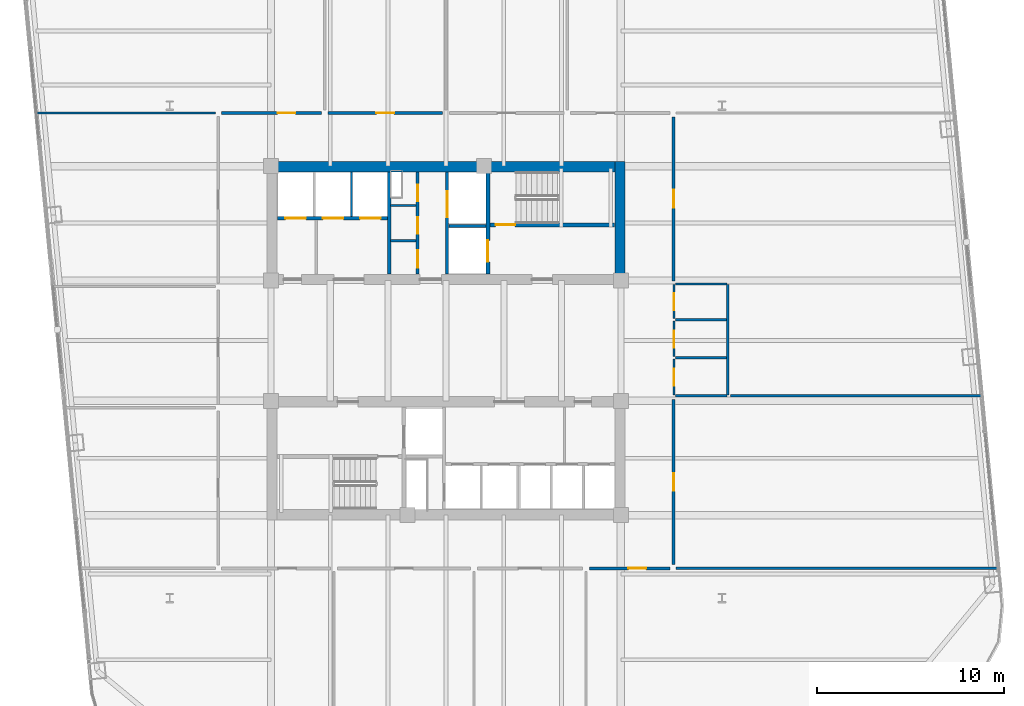
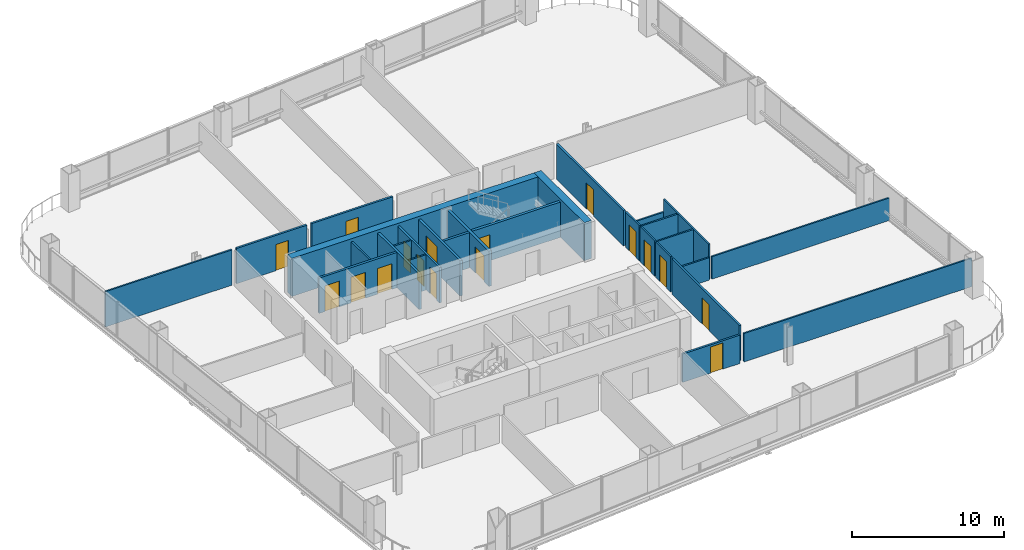
# One storey, part 28 of 32: 28 walls, 17 doors, 17 openings.
"""IFC4 building model written with IfcOpenShell, lengths in metres."""

from ifc_helpers import new_model, si_unit, direction, frame, frame_2d, origin, place, context, subcontext, project, spatial, rectangle, extrude, material, layer, layer_set, type_object, element, fill, save


model = new_model("IFC4")

# Units and contexts
model_context = context("Model", 3, precision=1e-05, world=origin(), true_north=direction((0.0, 1.0)))
body_context = subcontext(model_context, "Body", "Model", "MODEL_VIEW")
ifc_project = project(units=[si_unit("LENGTHUNIT", "METRE"), si_unit("AREAUNIT", "SQUARE_METRE"), si_unit("VOLUMEUNIT", "CUBIC_METRE"), si_unit("PLANEANGLEUNIT", "RADIAN"), si_unit("MASSUNIT", "GRAM", prefix="KILO")], contexts=[model_context])

# Site, building, storey
site_placement = place(None, origin())
site = spatial("IfcSite", under=ifc_project, at=site_placement, CompositionType="ELEMENT")
building_placement = place(site_placement, origin())
building = spatial("IfcBuilding", under=site, at=building_placement, Name="Qhalaya Broadcast Tower", CompositionType="ELEMENT")
storey_placement = place(building_placement, frame((0.0, 0.0, 87.75)))
storey = spatial("IfcBuildingStorey", under=building, at=storey_placement, Name="L25", CompositionType="ELEMENT", Elevation=87.75)

# Wall, openings, doors
ifc_material_1 = material(Name="Gypsum Acoustic Partition")
ifc_layer_1 = layer(ifc_material_1, 0.14990234375, Name="Gypsum Acoustic Partition")
ifc_layer_set_1 = layer_set([ifc_layer_1], Name="Gypsum Acoustic Partition")
wall_type_1 = type_object("IfcWallType", Name="Corridor & Tenancy Acoustic Partition 150", PredefinedType="PARTITIONING", material=ifc_layer_set_1)
wall_1_placement = place(storey_placement, frame((-1.52001953125, 4.169921875, 0.0), z_axis=(0.0, 0.0, 1.0), x_axis=(0.0, 1.0, 0.0)))
wall_1 = element("IfcWall", 1, at=wall_1_placement, inside=storey, type_object=wall_type_1, Name="L25 Partition Wall NCW-SVL", PredefinedType="PARTITIONING", context=body_context, shape_type="SweptSolid", body=[
    extrude(rectangle(XDim=5.4599609375, YDim=0.14990234375, at=frame_2d((2.72998046875, 0.0))), origin(), (0.0, 0.0, 1.0), 2.830078125),
])
opening_1_placement = place(wall_1_placement, frame((3.89990234375, 0.0, 0.0)))
opening_1 = element("IfcOpeningElement", 2, at=opening_1_placement, cuts=wall_1, Name="Opening D06", PredefinedType="OPENING", context=body_context, shape_type="SweptSolid", body=[
    extrude(rectangle(XDim=0.89990234375, YDim=2.050048828125, at=frame_2d((0.449951171875, 1.02490234375))), frame((0.0, 0.0869140625, 0.0), z_axis=(0.0, -1.0, 0.0), x_axis=(1.0, 0.0, 0.0)), (0.0, 0.0, 1.0), 0.173828125),
])
opening_2_placement = place(wall_1_placement, frame((2.14990234375, 0.0, 0.0)))
opening_2 = element("IfcOpeningElement", 3, at=opening_2_placement, cuts=wall_1, Name="Opening D06", PredefinedType="OPENING", context=body_context, shape_type="SweptSolid", body=[
    extrude(rectangle(XDim=0.89990234375, YDim=2.050048828125, at=frame_2d((0.449951171875, 1.02490234375))), frame((0.0, 0.0869140625, 0.0), z_axis=(0.0, -1.0, 0.0), x_axis=(1.0, 0.0, 0.0)), (0.0, 0.0, 1.0), 0.173828125),
])
opening_3_placement = place(wall_1_placement, frame((0.35009765625, 0.0, 0.0)))
opening_3 = element("IfcOpeningElement", 4, at=opening_3_placement, cuts=wall_1, Name="Opening D12", PredefinedType="OPENING", context=body_context, shape_type="SweptSolid", body=[
    extrude(rectangle(XDim=0.919921875, YDim=2.10009765625, at=frame_2d((0.4599609375, 1.050048828125))), frame((0.0, 0.0869140625, 0.0), z_axis=(0.0, -1.0, 0.0), x_axis=(1.0, 0.0, 0.0)), (0.0, 0.0, 1.0), 0.173828125),
])
ifc_material_2 = material(Name="Timber Veneer Acoustic Door", Category="wood")
door_type_1 = type_object("IfcDoorType", Name="Accessible WC & Restroom Door D12", OperationType="NOTDEFINED", PredefinedType="DOOR", material=ifc_material_2)
door_1_placement = place(opening_3_placement, origin())
door_1 = element("IfcDoor", 5, at=door_1_placement, inside=storey, type_object=door_type_1, Name="L25 Door D-NCWC", OperationType="SINGLE_SWING_RIGHT", OverallHeight=2.10009765625, OverallWidth=0.919921875, PredefinedType="DOOR", context=body_context, shape_type="SweptSolid", body=[
    extrude(rectangle(XDim=0.919921875, YDim=2.10009765625, at=frame_2d((0.4599609375, 1.050048828125))), frame((0.0, 0.02490234375, 0.0), z_axis=(0.0, -1.0, 0.0), x_axis=(1.0, 0.0, 0.0)), (0.0, 0.0, 1.0), 0.050048828125),
])
fill(opening_3, door_1)
ifc_material_3 = material(Name="Fire-Rated Steel Door", Category="steel")
door_type_2 = type_object("IfcDoorType", Name="Riser & Electrical Shaft Access Door D06", OperationType="NOTDEFINED", PredefinedType="DOOR", material=ifc_material_3)
door_2_placement = place(opening_1_placement, origin())
door_2 = element("IfcDoor", 6, at=door_2_placement, inside=storey, type_object=door_type_2, Name="L25 Riser Shaft Access Door D-NRSR", OperationType="SINGLE_SWING_RIGHT", OverallHeight=2.050048828125, OverallWidth=0.89990234375, PredefinedType="DOOR", context=body_context, shape_type="SweptSolid", body=[
    extrude(rectangle(XDim=0.89990234375, YDim=2.050048828125, at=frame_2d((0.449951171875, 1.02490234375))), frame((0.0, 0.02490234375, 0.0), z_axis=(0.0, -1.0, 0.0), x_axis=(1.0, 0.0, 0.0)), (0.0, 0.0, 1.0), 0.050048828125),
])
fill(opening_1, door_2)
door_3_placement = place(opening_2_placement, origin())
door_3 = element("IfcDoor", 7, at=door_3_placement, inside=storey, type_object=door_type_2, Name="L25 Door D-NITR", OperationType="SINGLE_SWING_LEFT", OverallHeight=2.050048828125, OverallWidth=0.89990234375, PredefinedType="DOOR", context=body_context, shape_type="SweptSolid", body=[
    extrude(rectangle(XDim=0.89990234375, YDim=2.050048828125, at=frame_2d((0.449951171875, 1.02490234375))), frame((0.0, 0.02490234375, 0.0), z_axis=(0.0, -1.0, 0.0), x_axis=(1.0, 0.0, 0.0)), (0.0, 0.0, 1.0), 0.050048828125),
])
fill(opening_2, door_3)

# Wall, opening, door
wall_2_placement = place(storey_placement, frame((-12.02001953125, 12.800048828125, 0.0), z_axis=(0.0, 0.0, 1.0), x_axis=(1.0, 0.0, 0.0)))
wall_2 = element("IfcWall", 8, at=wall_2_placement, inside=storey, type_object=wall_type_1, Name="L25 Partition Wall W-COR-01", PredefinedType="PARTITIONING", context=body_context, shape_type="SweptSolid", body=[
    extrude(rectangle(XDim=5.340087890625, YDim=0.14990234375, at=frame_2d((2.669921875, 0.0))), origin(), (0.0, 0.0, 1.0), 2.830078125),
])
opening_4_placement = place(wall_2_placement, frame((2.9951171875, 0.0, 0.0)))
opening_4 = element("IfcOpeningElement", 9, at=opening_4_placement, cuts=wall_2, Name="Opening D10", PredefinedType="OPENING", context=body_context, shape_type="SweptSolid", body=[
    extrude(rectangle(XDim=0.949951171875, YDim=2.10009765625, at=frame_2d((0.47509765625, 1.050048828125))), frame((0.0, 0.0869140625, 0.0), z_axis=(0.0, -1.0, 0.0), x_axis=(1.0, 0.0, 0.0)), (0.0, 0.0, 1.0), 0.173828125),
])
door_type_3 = type_object("IfcDoorType", Name="Cellular Office & Edit Booth Door D10", OperationType="NOTDEFINED", PredefinedType="DOOR", material=ifc_material_2)
door_4_placement = place(opening_4_placement, origin())
door_4 = element("IfcDoor", 10, at=door_4_placement, inside=storey, type_object=door_type_3, Name="L25 Door D-RM01", OperationType="SINGLE_SWING_LEFT", OverallHeight=2.10009765625, OverallWidth=0.949951171875, PredefinedType="DOOR", context=body_context, shape_type="SweptSolid", body=[
    extrude(rectangle(XDim=0.949951171875, YDim=2.10009765625, at=frame_2d((0.47509765625, 1.050048828125))), frame((0.0, 0.02490234375, 0.0), z_axis=(0.0, -1.0, 0.0), x_axis=(1.0, 0.0, 0.0)), (0.0, 0.0, 1.0), 0.050048828125),
])
fill(opening_4, door_4)

wall_3_placement = place(storey_placement, frame((-6.320068359375, 12.800048828125, 0.0), z_axis=(0.0, 0.0, 1.0), x_axis=(1.0, 0.0, 0.0)))
wall_3 = element("IfcWall", 11, at=wall_3_placement, inside=storey, type_object=wall_type_1, Name="L25 Partition Wall W-COR-02", PredefinedType="PARTITIONING", context=body_context, shape_type="SweptSolid", body=[
    extrude(rectangle(XDim=6.14013671875, YDim=0.14990234375, at=frame_2d((3.070068359375, 0.0))), origin(), (0.0, 0.0, 1.0), 2.830078125),
])
opening_5_placement = place(wall_3_placement, frame((2.594970703125, 0.0, 0.0)))
opening_5 = element("IfcOpeningElement", 12, at=opening_5_placement, cuts=wall_3, Name="Opening D10", PredefinedType="OPENING", context=body_context, shape_type="SweptSolid", body=[
    extrude(rectangle(XDim=0.949951171875, YDim=2.10009765625, at=frame_2d((0.47509765625, 1.050048828125))), frame((0.0, 0.0869140625, 0.0), z_axis=(0.0, -1.0, 0.0), x_axis=(1.0, 0.0, 0.0)), (0.0, 0.0, 1.0), 0.173828125),
])
door_5_placement = place(opening_5_placement, origin())
door_5 = element("IfcDoor", 13, at=door_5_placement, inside=storey, type_object=door_type_3, Name="L25 Door D-RM02", OperationType="SINGLE_SWING_RIGHT", OverallHeight=2.10009765625, OverallWidth=0.949951171875, PredefinedType="DOOR", context=body_context, shape_type="SweptSolid", body=[
    extrude(rectangle(XDim=0.949951171875, YDim=2.10009765625, at=frame_2d((0.47509765625, 1.050048828125))), frame((0.0, 0.02490234375, 0.0), z_axis=(0.0, -1.0, 0.0), x_axis=(1.0, 0.0, 0.0)), (0.0, 0.0, 1.0), 0.050048828125),
])
fill(opening_5, door_5)

wall_4_placement = place(storey_placement, frame((7.679931640625, -11.60009765625, 0.0), z_axis=(0.0, 0.0, 1.0), x_axis=(1.0, 0.0, 0.0)))
wall_4 = element("IfcWall", 14, at=wall_4_placement, inside=storey, type_object=wall_type_1, Name="L25 Partition Wall W-COR-08", PredefinedType="PARTITIONING", context=body_context, shape_type="SweptSolid", body=[
    extrude(rectangle(XDim=4.340087890625, YDim=0.14990234375, at=frame_2d((2.169921875, 0.0))), origin(), (0.0, 0.0, 1.0), 2.27392578125),
])
opening_6_placement = place(wall_4_placement, frame((2.094970703125, 0.0, 0.0)))
opening_6 = element("IfcOpeningElement", 15, at=opening_6_placement, cuts=wall_4, Name="Opening D10", PredefinedType="OPENING", context=body_context, shape_type="SweptSolid", body=[
    extrude(rectangle(XDim=0.949951171875, YDim=2.10009765625, at=frame_2d((0.47509765625, 1.050048828125))), frame((0.0, 0.0869140625, 0.0), z_axis=(0.0, -1.0, 0.0), x_axis=(1.0, 0.0, 0.0)), (0.0, 0.0, 1.0), 0.173828125),
])
door_6_placement = place(opening_6_placement, origin())
door_6 = element("IfcDoor", 16, at=door_6_placement, inside=storey, type_object=door_type_3, Name="L25 Door D-RM08", OperationType="SINGLE_SWING_RIGHT", OverallHeight=2.10009765625, OverallWidth=0.949951171875, PredefinedType="DOOR", context=body_context, shape_type="SweptSolid", body=[
    extrude(rectangle(XDim=0.949951171875, YDim=2.10009765625, at=frame_2d((0.47509765625, 1.050048828125))), frame((0.0, 0.02490234375, 0.0), z_axis=(0.0, -1.0, 0.0), x_axis=(1.0, 0.0, 0.0)), (0.0, 0.0, 1.0), 0.050048828125),
])
fill(opening_6, door_6)

wall_5_placement = place(storey_placement, frame((12.199951171875, -11.39990234375, 0.0), z_axis=(0.0, 0.0, 1.0), x_axis=(0.0, 1.0, 0.0)))
wall_5 = element("IfcWall", 17, at=wall_5_placement, inside=storey, type_object=wall_type_1, Name="L25 Partition Wall W-COR-12", PredefinedType="PARTITIONING", context=body_context, shape_type="SweptSolid", body=[
    extrude(rectangle(XDim=8.83984375, YDim=0.14990234375, at=frame_2d((4.419921875, 0.0))), origin(), (0.0, 0.0, 1.0), 2.830078125),
])
opening_7_placement = place(wall_5_placement, frame((3.945068359375, 0.0, 0.0)))
opening_7 = element("IfcOpeningElement", 18, at=opening_7_placement, cuts=wall_5, Name="Opening D10", PredefinedType="OPENING", context=body_context, shape_type="SweptSolid", body=[
    extrude(rectangle(XDim=0.949951171875, YDim=2.10009765625, at=frame_2d((0.47509765625, 1.050048828125))), frame((0.0, 0.0869140625, 0.0), z_axis=(0.0, -1.0, 0.0), x_axis=(1.0, 0.0, 0.0)), (0.0, 0.0, 1.0), 0.173828125),
])
door_7_placement = place(opening_7_placement, origin())
door_7 = element("IfcDoor", 19, at=door_7_placement, inside=storey, type_object=door_type_3, Name="L25 Door D-RM12", OperationType="SINGLE_SWING_RIGHT", OverallHeight=2.10009765625, OverallWidth=0.949951171875, PredefinedType="DOOR", context=body_context, shape_type="SweptSolid", body=[
    extrude(rectangle(XDim=0.949951171875, YDim=2.10009765625, at=frame_2d((0.47509765625, 1.050048828125))), frame((0.0, 0.02490234375, 0.0), z_axis=(0.0, -1.0, 0.0), x_axis=(1.0, 0.0, 0.0)), (0.0, 0.0, 1.0), 0.050048828125),
])
fill(opening_7, door_7)

wall_6_placement = place(storey_placement, frame((12.199951171875, 3.800048828125, 0.0), z_axis=(0.0, 0.0, 1.0), x_axis=(0.0, 1.0, 0.0)))
wall_6 = element("IfcWall", 20, at=wall_6_placement, inside=storey, type_object=wall_type_1, Name="L25 Partition Wall W-COR-13", PredefinedType="PARTITIONING", context=body_context, shape_type="SweptSolid", body=[
    extrude(rectangle(XDim=8.800048828125, YDim=0.14990234375, at=frame_2d((4.39990234375, 0.0))), origin(), (0.0, 0.0, 1.0), 2.830078125),
])
opening_8_placement = place(wall_6_placement, frame((3.925048828125, 0.0, 0.0)))
opening_8 = element("IfcOpeningElement", 21, at=opening_8_placement, cuts=wall_6, Name="Opening D10", PredefinedType="OPENING", context=body_context, shape_type="SweptSolid", body=[
    extrude(rectangle(XDim=0.949951171875, YDim=2.10009765625, at=frame_2d((0.47509765625, 1.050048828125))), frame((0.0, 0.0869140625, 0.0), z_axis=(0.0, -1.0, 0.0), x_axis=(1.0, 0.0, 0.0)), (0.0, 0.0, 1.0), 0.173828125),
])
door_8_placement = place(opening_8_placement, origin())
door_8 = element("IfcDoor", 22, at=door_8_placement, inside=storey, type_object=door_type_3, Name="L25 Door D-RM13", OperationType="SINGLE_SWING_LEFT", OverallHeight=2.10009765625, OverallWidth=0.949951171875, PredefinedType="DOOR", context=body_context, shape_type="SweptSolid", body=[
    extrude(rectangle(XDim=0.949951171875, YDim=2.10009765625, at=frame_2d((0.47509765625, 1.050048828125))), frame((0.0, 0.02490234375, 0.0), z_axis=(0.0, -1.0, 0.0), x_axis=(1.0, 0.0, 0.0)), (0.0, 0.0, 1.0), 0.050048828125),
])
fill(opening_8, door_8)

ifc_material_4 = material(Name="Concrete C50/60", Category="concrete")
ifc_layer_2 = layer(ifc_material_4, 0.199951171875, Name="Concrete C50/60")
ifc_layer_set_2 = layer_set([ifc_layer_2], Name="Concrete C50/60")
wall_type_2 = type_object("IfcWallType", Name="Load-Bearing Stair Shaft Wall 200", PredefinedType="SHEAR", material=ifc_layer_set_2)
wall_7_placement = place(storey_placement, frame((2.360107421875, 6.804931640625, 0.0), z_axis=(0.0, 0.0, 1.0), x_axis=(1.0, 0.0, 0.0)))
wall_7 = element("IfcWall", 23, at=wall_7_placement, inside=storey, type_object=wall_type_2, Name="L25 Stair Core Shear Wall NCW-ST1", PredefinedType="SHEAR", context=body_context, shape_type="SweptSolid", body=[
    extrude(rectangle(XDim=6.669921875, YDim=0.199951171875, at=frame_2d((3.3349609375, 0.0))), origin(), (0.0, 0.0, 1.0), 2.830078125),
])
opening_9_placement = place(wall_7_placement, frame((0.300048828125, 0.0, 0.0)))
opening_9 = element("IfcOpeningElement", 24, at=opening_9_placement, cuts=wall_7, Name="Opening D03", PredefinedType="OPENING", context=body_context, shape_type="SweptSolid", body=[
    extrude(rectangle(XDim=1.050048828125, YDim=2.080078125, at=frame_2d((0.52490234375, 1.0400390625))), frame((0.0, 0.112060546875, 0.0), z_axis=(0.0, -1.0, 0.0), x_axis=(1.0, 0.0, 0.0)), (0.0, 0.0, 1.0), 0.223876953125),
])
door_type_4 = type_object("IfcDoorType", Name="Core Stair Protected Fire Door D03", OperationType="NOTDEFINED", PredefinedType="DOOR", material=ifc_material_3)
door_9_placement = place(opening_9_placement, origin())
door_9 = element("IfcDoor", 25, at=door_9_placement, inside=storey, type_object=door_type_4, Name="L25 Door D-NST1", OperationType="SINGLE_SWING_LEFT", OverallHeight=2.080078125, OverallWidth=1.050048828125, PredefinedType="DOOR", context=body_context, shape_type="SweptSolid", body=[
    extrude(rectangle(XDim=1.050048828125, YDim=2.080078125, at=frame_2d((0.52490234375, 1.0400390625))), frame((0.0, 0.02490234375, 0.0), z_axis=(0.0, -1.0, 0.0), x_axis=(1.0, 0.0, 0.0)), (0.0, 0.0, 1.0), 0.050048828125),
])
fill(opening_9, door_9)

wall_8_placement = place(storey_placement, frame((2.25, 4.169921875, 0.0), z_axis=(0.0, 0.0, 1.0), x_axis=(0.0, 1.0, 0.0)))
wall_8 = element("IfcWall", 26, at=wall_8_placement, inside=storey, type_object=wall_type_2, Name="L25 Stair Core Shear Wall NCW-FF", PredefinedType="SHEAR", context=body_context, shape_type="SweptSolid", body=[
    extrude(rectangle(XDim=5.4599609375, YDim=0.199951171875, at=frame_2d((2.72998046875, 0.0))), origin(), (0.0, 0.0, 1.0), 2.830078125),
])
opening_10_placement = place(wall_8_placement, frame((0.64990234375, 0.0, 0.0)))
opening_10 = element("IfcOpeningElement", 27, at=opening_10_placement, cuts=wall_8, Name="Opening LD2", PredefinedType="OPENING", context=body_context, shape_type="SweptSolid", body=[
    extrude(rectangle(XDim=1.14990234375, YDim=2.080078125, at=frame_2d((0.574951171875, 1.0400390625))), frame((0.0, 0.112060546875, 0.0), z_axis=(0.0, -1.0, 0.0), x_axis=(1.0, 0.0, 0.0)), (0.0, 0.0, 1.0), 0.223876953125),
])
ifc_material_5 = material(Name="Brushed Stainless Steel Lift Door", Category="steel")
door_type_5 = type_object("IfcDoorType", Name="Firefighting Lift Sliding Landing Door LD2", OperationType="DOUBLE_DOOR_SLIDING", PredefinedType="DOOR", material=ifc_material_5)
door_10_placement = place(opening_10_placement, origin())
door_10 = element("IfcDoor", 28, at=door_10_placement, inside=storey, type_object=door_type_5, Name="L25 Door LD-FF1", OperationType="DOUBLE_DOOR_SLIDING", OverallHeight=2.080078125, OverallWidth=1.14990234375, PredefinedType="DOOR", context=body_context, shape_type="SweptSolid", body=[
    extrude(rectangle(XDim=1.14990234375, YDim=2.080078125, at=frame_2d((0.574951171875, 1.0400390625))), frame((0.0, 0.02490234375, 0.0), z_axis=(0.0, -1.0, 0.0), x_axis=(1.0, 0.0, 0.0)), (0.0, 0.0, 1.0), 0.050048828125),
])
fill(opening_10, door_10)

# Walls
ifc_material_6 = material(Name="Concrete C60/75", Category="concrete")
ifc_layer_3 = layer(ifc_material_6, 0.550048828125, Name="Concrete C60/75")
ifc_layer_set_3 = layer_set([ifc_layer_3], Name="Concrete C60/75")
wall_type_3 = type_object("IfcWallType", Name="Lower Split-Core Shear Wall 550", PredefinedType="SHEAR", material=ifc_layer_set_3)
wall_9_placement = place(storey_placement, frame((-9.60009765625, 9.925048828125, 0.0), z_axis=(0.0, 0.0, 1.0), x_axis=(1.0, 0.0, 0.0)))
element("IfcWall", 29, at=wall_9_placement, inside=storey, type_object=wall_type_3, Name="L25 Split-Core Shear Wall CW-NN", PredefinedType="SHEAR", context=body_context, shape_type="SweptSolid", body=[
    extrude(rectangle(XDim=19.2001953125, YDim=0.550048828125, at=frame_2d((9.60009765625, 0.0))), origin(), (0.0, 0.0, 1.0), 3.050048828125),
])
wall_10_placement = place(storey_placement, frame((9.324951171875, 3.60009765625, 0.0), z_axis=(0.0, 0.0, 1.0), x_axis=(0.0, 1.0, 0.0)))
element("IfcWall", 30, at=wall_10_placement, inside=storey, type_object=wall_type_3, Name="L25 Split-Core Shear Wall CW-NE", PredefinedType="SHEAR", context=body_context, shape_type="SweptSolid", body=[
    extrude(rectangle(XDim=6.599853515625, YDim=0.550048828125, at=frame_2d((3.2998046875, 0.0))), origin(), (0.0, 0.0, 1.0), 3.050048828125),
])
ifc_layer_4 = layer(ifc_material_1, 0.1201171875, Name="Gypsum Acoustic Partition")
ifc_layer_set_4 = layer_set([ifc_layer_4], Name="Gypsum Acoustic Partition")
wall_type_4 = type_object("IfcWallType", Name="Office, Booth & Sanitary Partition 120", PredefinedType="PARTITIONING", material=ifc_layer_set_4)
for number, where, z_axis, x_axis, name in (
    (31, (-2.9599609375, 5.949951171875, 0.0), (0.0, 0.0, 1.0), (1.0, 0.0, 0.0), "L25 Partition Wall NCW-VB1"),
    (32, (-2.9599609375, 7.85009765625, 0.0), (0.0, 0.0, 1.0), (1.0, 0.0, 0.0), "L25 Partition Wall NCW-VB2"),
):
    element("IfcWall", number, at=place(storey_placement, frame(where, z_axis=z_axis, x_axis=x_axis)), inside=storey, type_object=wall_type_4, Name=name, PredefinedType="PARTITIONING", context=body_context, shape_type="SweptSolid", body=[
        extrude(rectangle(XDim=1.35986328125, YDim=0.1201171875, at=frame_2d((0.679931640625, 0.0))), origin(), (0.0, 0.0, 1.0), 2.830078125),
    ])
wall_11_placement = place(storey_placement, frame((-5.06005859375, 7.25, 0.0), z_axis=(0.0, 0.0, 1.0), x_axis=(0.0, 1.0, 0.0)))
element("IfcWall", 33, at=wall_11_placement, inside=storey, type_object=wall_type_4, Name="L25 Partition Wall NCW-PD2", PredefinedType="PARTITIONING", context=body_context, shape_type="SweptSolid", body=[
    extrude(rectangle(XDim=2.3798828125, YDim=0.1201171875, at=frame_2d((1.18994140625, 0.0))), origin(), (0.0, 0.0, 1.0), 2.830078125),
])

# Wall, opening, door
wall_12_placement = place(storey_placement, frame((12.219970703125, -2.320068359375, 0.0), z_axis=(0.0, 0.0, 1.0), x_axis=(0.0, 1.0, 0.0)))
wall_12 = element("IfcWall", 34, at=wall_12_placement, inside=storey, type_object=wall_type_4, Name="L25 Partition Wall W-WCWA", PredefinedType="PARTITIONING", context=body_context, shape_type="SweptSolid", body=[
    extrude(rectangle(XDim=1.940185546875, YDim=0.1201171875, at=frame_2d((0.97021484375, 0.0))), origin(), (0.0, 0.0, 1.0), 2.830078125),
])
opening_11_placement = place(wall_12_placement, frame((0.4951171875, 0.0, 0.0)))
opening_11 = element("IfcOpeningElement", 35, at=opening_11_placement, cuts=wall_12, Name="Opening D12", PredefinedType="OPENING", context=body_context, shape_type="SweptSolid", body=[
    extrude(rectangle(XDim=0.919921875, YDim=2.10009765625, at=frame_2d((0.4599609375, 1.050048828125))), frame((0.0, 0.072021484375, 0.0), z_axis=(0.0, -1.0, 0.0), x_axis=(1.0, 0.0, 0.0)), (0.0, 0.0, 1.0), 0.14404296875),
])
door_11_placement = place(opening_11_placement, origin())
door_11 = element("IfcDoor", 36, at=door_11_placement, inside=storey, type_object=door_type_1, Name="L25 Door D-WCA", OperationType="SINGLE_SWING_LEFT", OverallHeight=2.10009765625, OverallWidth=0.919921875, PredefinedType="DOOR", context=body_context, shape_type="SweptSolid", body=[
    extrude(rectangle(XDim=0.919921875, YDim=2.10009765625, at=frame_2d((0.4599609375, 1.050048828125))), frame((0.0, 0.02490234375, 0.0), z_axis=(0.0, -1.0, 0.0), x_axis=(1.0, 0.0, 0.0)), (0.0, 0.0, 1.0), 0.050048828125),
])
fill(opening_11, door_11)

wall_13_placement = place(storey_placement, frame((12.219970703125, -0.25, 0.0), z_axis=(0.0, 0.0, 1.0), x_axis=(0.0, 1.0, 0.0)))
wall_13 = element("IfcWall", 37, at=wall_13_placement, inside=storey, type_object=wall_type_4, Name="L25 Partition Wall W-WCWM", PredefinedType="PARTITIONING", context=body_context, shape_type="SweptSolid", body=[
    extrude(rectangle(XDim=1.89990234375, YDim=0.1201171875, at=frame_2d((0.949951171875, 0.0))), origin(), (0.0, 0.0, 1.0), 2.830078125),
])
opening_12_placement = place(wall_13_placement, frame((0.47509765625, 0.0, 0.0)))
opening_12 = element("IfcOpeningElement", 38, at=opening_12_placement, cuts=wall_13, Name="Opening D12", PredefinedType="OPENING", context=body_context, shape_type="SweptSolid", body=[
    extrude(rectangle(XDim=0.919921875, YDim=2.10009765625, at=frame_2d((0.4599609375, 1.050048828125))), frame((0.0, 0.072021484375, 0.0), z_axis=(0.0, -1.0, 0.0), x_axis=(1.0, 0.0, 0.0)), (0.0, 0.0, 1.0), 0.14404296875),
])
door_12_placement = place(opening_12_placement, origin())
door_12 = element("IfcDoor", 39, at=door_12_placement, inside=storey, type_object=door_type_1, Name="L25 Door D-WCM", OperationType="SINGLE_SWING_RIGHT", OverallHeight=2.10009765625, OverallWidth=0.919921875, PredefinedType="DOOR", context=body_context, shape_type="SweptSolid", body=[
    extrude(rectangle(XDim=0.919921875, YDim=2.10009765625, at=frame_2d((0.4599609375, 1.050048828125))), frame((0.0, 0.02490234375, 0.0), z_axis=(0.0, -1.0, 0.0), x_axis=(1.0, 0.0, 0.0)), (0.0, 0.0, 1.0), 0.050048828125),
])
fill(opening_12, door_12)

wall_14_placement = place(storey_placement, frame((12.219970703125, 1.780029296875, 0.0), z_axis=(0.0, 0.0, 1.0), x_axis=(0.0, 1.0, 0.0)))
wall_14 = element("IfcWall", 40, at=wall_14_placement, inside=storey, type_object=wall_type_4, Name="L25 Partition Wall W-WCWF", PredefinedType="PARTITIONING", context=body_context, shape_type="SweptSolid", body=[
    extrude(rectangle(XDim=1.830078125, YDim=0.1201171875, at=frame_2d((0.9150390625, 0.0))), origin(), (0.0, 0.0, 1.0), 2.830078125),
])
opening_13_placement = place(wall_14_placement, frame((0.43994140625, 0.0, 0.0)))
opening_13 = element("IfcOpeningElement", 41, at=opening_13_placement, cuts=wall_14, Name="Opening D12", PredefinedType="OPENING", context=body_context, shape_type="SweptSolid", body=[
    extrude(rectangle(XDim=0.919921875, YDim=2.10009765625, at=frame_2d((0.4599609375, 1.050048828125))), frame((0.0, 0.072021484375, 0.0), z_axis=(0.0, -1.0, 0.0), x_axis=(1.0, 0.0, 0.0)), (0.0, 0.0, 1.0), 0.14404296875),
])
door_13_placement = place(opening_13_placement, origin())
door_13 = element("IfcDoor", 42, at=door_13_placement, inside=storey, type_object=door_type_1, Name="L25 Door D-WCF", OperationType="SINGLE_SWING_LEFT", OverallHeight=2.10009765625, OverallWidth=0.919921875, PredefinedType="DOOR", context=body_context, shape_type="SweptSolid", body=[
    extrude(rectangle(XDim=0.919921875, YDim=2.10009765625, at=frame_2d((0.4599609375, 1.050048828125))), frame((0.0, 0.02490234375, 0.0), z_axis=(0.0, -1.0, 0.0), x_axis=(1.0, 0.0, 0.0)), (0.0, 0.0, 1.0), 0.050048828125),
])
fill(opening_13, door_13)

# Walls
wall_15_placement = place(storey_placement, frame((15.10009765625, -2.320068359375, 0.0), z_axis=(0.0, 0.0, 1.0), x_axis=(0.0, 1.0, 0.0)))
element("IfcWall", 43, at=wall_15_placement, inside=storey, type_object=wall_type_4, Name="L25 Partition Wall W-WCE", PredefinedType="PARTITIONING", context=body_context, shape_type="SweptSolid", body=[
    extrude(rectangle(XDim=5.93017578125, YDim=0.1201171875, at=frame_2d((2.965087890625, 0.0))), origin(), (0.0, 0.0, 1.0), 2.830078125),
])
for number, where, z_axis, x_axis, name in (
    (44, (12.31005859375, -2.35009765625, 0.0), (0.0, 0.0, 1.0), (1.0, 0.0, 0.0), "L25 Partition Wall W-WCS"),
    (45, (12.31005859375, 3.639892578125, 0.0), (0.0, 0.0, 1.0), (1.0, 0.0, 0.0), "L25 Partition Wall W-WCN"),
):
    element("IfcWall", number, at=place(storey_placement, frame(where, z_axis=z_axis, x_axis=x_axis)), inside=storey, type_object=wall_type_4, Name=name, PredefinedType="PARTITIONING", context=body_context, shape_type="SweptSolid", body=[
        extrude(rectangle(XDim=2.760009765625, YDim=0.1201171875, at=frame_2d((1.3798828125, 0.0))), origin(), (0.0, 0.0, 1.0), 1.799072265625),
    ])
for number, where, z_axis, x_axis, name in (
    (46, (12.31005859375, -0.320068359375, 0.0), (0.0, 0.0, 1.0), (1.0, 0.0, 0.0), "L25 Partition Wall W-WCD1"),
    (47, (12.31005859375, 1.719970703125, 0.0), (0.0, 0.0, 1.0), (1.0, 0.0, 0.0), "L25 Partition Wall W-WCD2"),
):
    element("IfcWall", number, at=place(storey_placement, frame(where, z_axis=z_axis, x_axis=x_axis)), inside=storey, type_object=wall_type_4, Name=name, PredefinedType="PARTITIONING", context=body_context, shape_type="SweptSolid", body=[
        extrude(rectangle(XDim=2.719970703125, YDim=0.1201171875, at=frame_2d((1.35986328125, 0.0))), origin(), (0.0, 0.0, 1.0), 2.830078125),
    ])
wall_16_placement = place(storey_placement, frame((-21.94482421875, 12.800048828125, 0.0), z_axis=(0.0, 0.0, 1.0), x_axis=(1.0, 0.0, 0.0)))
element("IfcWall", 48, at=wall_16_placement, inside=storey, type_object=wall_type_4, Name="L25 Partition Wall W-BNDW1", PredefinedType="PARTITIONING", context=body_context, shape_type="SweptSolid", body=[
    extrude(rectangle(XDim=9.604736328125, YDim=0.1201171875, at=frame_2d((4.80224609375, 0.0))), origin(), (0.0, 0.0, 1.0), 2.830078125),
])
wall_17_placement = place(storey_placement, frame((12.340087890625, -11.60009765625, 0.0), z_axis=(0.0, 0.0, 1.0), x_axis=(1.0, 0.0, 0.0)))
element("IfcWall", 49, at=wall_17_placement, inside=storey, type_object=wall_type_4, Name="L25 Partition Wall W-BNDE2", PredefinedType="PARTITIONING", context=body_context, shape_type="SweptSolid", body=[
    extrude(rectangle(XDim=17.2509765625, YDim=0.1201171875, at=frame_2d((8.62548828125, 0.0))), origin(), (0.0, 0.0, 1.0), 2.27392578125),
])
wall_18_placement = place(storey_placement, frame((15.239990234375, -2.35009765625, 0.0), z_axis=(0.0, 0.0, 1.0), x_axis=(1.0, 0.0, 0.0)))
element("IfcWall", 50, at=wall_18_placement, inside=storey, type_object=wall_type_4, Name="L25 Partition Wall W-DIVE-WC", PredefinedType="PARTITIONING", context=body_context, shape_type="SweptSolid", body=[
    extrude(rectangle(XDim=13.46044921875, YDim=0.1201171875, at=frame_2d((6.730224609375, 0.0))), origin(), (0.0, 0.0, 1.0), 1.799072265625),
])

# Wall, opening, door
ifc_layer_5 = layer(ifc_material_1, 0.175048828125, Name="Gypsum Acoustic Partition")
ifc_layer_set_5 = layer_set([ifc_layer_5], Name="Gypsum Acoustic Partition")
wall_type_5 = type_object("IfcWallType", Name="Shaft & Riser Fire Partition 175", PredefinedType="PARTITIONING", material=ifc_layer_set_5)
wall_19_placement = place(storey_placement, frame((0.06005859375, 4.169921875, 0.0), z_axis=(0.0, 0.0, 1.0), x_axis=(0.0, 1.0, 0.0)))
wall_19 = element("IfcWall", 51, at=wall_19_placement, inside=storey, type_object=wall_type_5, Name="L25 Partition Wall NCW-SVW", PredefinedType="PARTITIONING", context=body_context, shape_type="SweptSolid", body=[
    extrude(rectangle(XDim=5.4599609375, YDim=0.175048828125, at=frame_2d((2.72998046875, 0.0))), origin(), (0.0, 0.0, 1.0), 2.830078125),
])
opening_14_placement = place(wall_19_placement, frame((3.050048828125, 0.0, 0.0)))
opening_14 = element("IfcOpeningElement", 52, at=opening_14_placement, cuts=wall_19, Name="Opening LD3", PredefinedType="OPENING", context=body_context, shape_type="SweptSolid", body=[
    extrude(rectangle(XDim=1.39990234375, YDim=2.1201171875, at=frame_2d((0.699951171875, 1.06005859375))), frame((0.0, 0.099609375, 0.0), z_axis=(0.0, -1.0, 0.0), x_axis=(1.0, 0.0, 0.0)), (0.0, 0.0, 1.0), 0.198974609375),
])
door_type_6 = type_object("IfcDoorType", Name="Service Lift Wide Sliding Landing Door LD3", OperationType="DOUBLE_DOOR_SLIDING", PredefinedType="DOOR", material=ifc_material_5)
door_14_placement = place(opening_14_placement, origin())
door_14 = element("IfcDoor", 53, at=door_14_placement, inside=storey, type_object=door_type_6, Name="L25 Door LD-SV1", OperationType="DOUBLE_DOOR_SLIDING", OverallHeight=2.1201171875, OverallWidth=1.39990234375, PredefinedType="DOOR", context=body_context, shape_type="SweptSolid", body=[
    extrude(rectangle(XDim=1.39990234375, YDim=2.1201171875, at=frame_2d((0.699951171875, 1.06005859375))), frame((0.0, 0.02490234375, 0.0), z_axis=(0.0, -1.0, 0.0), x_axis=(1.0, 0.0, 0.0)), (0.0, 0.0, 1.0), 0.050048828125),
])
fill(opening_14, door_14)

# Walls
wall_20_placement = place(storey_placement, frame((0.159912109375, 6.75, 0.0), z_axis=(0.0, 0.0, 1.0), x_axis=(1.0, 0.0, 0.0)))
element("IfcWall", 54, at=wall_20_placement, inside=storey, type_object=wall_type_5, Name="L25 Partition Wall NCW-SVM", PredefinedType="PARTITIONING", context=body_context, shape_type="SweptSolid", body=[
    extrude(rectangle(XDim=1.97998046875, YDim=0.175048828125, at=frame_2d((0.989990234375, 0.0))), origin(), (0.0, 0.0, 1.0), 2.830078125),
])
wall_21_placement = place(storey_placement, frame((-3.0400390625, 4.169921875, 0.0), z_axis=(0.0, 0.0, 1.0), x_axis=(0.0, 1.0, 0.0)))
element("IfcWall", 55, at=wall_21_placement, inside=storey, type_object=wall_type_5, Name="L25 Partition Wall NCW-VRW", PredefinedType="PARTITIONING", context=body_context, shape_type="SweptSolid", body=[
    extrude(rectangle(XDim=5.4599609375, YDim=0.175048828125, at=frame_2d((2.72998046875, 0.0))), origin(), (0.0, 0.0, 1.0), 2.830078125),
])

# Wall, openings, doors
wall_22_placement = place(storey_placement, frame((-9.030029296875, 7.159912109375, 0.0), z_axis=(0.0, 0.0, 1.0), x_axis=(1.0, 0.0, 0.0)))
wall_22 = element("IfcWall", 56, at=wall_22_placement, inside=storey, type_object=wall_type_5, Name="L25 Partition Wall NCW-PLB", PredefinedType="PARTITIONING", context=body_context, shape_type="SweptSolid", body=[
    extrude(rectangle(XDim=5.909912109375, YDim=0.175048828125, at=frame_2d((2.955078125, 0.0))), origin(), (0.0, 0.0, 1.0), 2.830078125),
])
opening_15_placement = place(wall_22_placement, frame((0.429931640625, 0.0, 0.0)))
opening_15 = element("IfcOpeningElement", 57, at=opening_15_placement, cuts=wall_22, Name="Opening LD1", PredefinedType="OPENING", context=body_context, shape_type="SweptSolid", body=[
    extrude(rectangle(XDim=1.10009765625, YDim=2.06005859375, at=frame_2d((0.550048828125, 1.030029296875))), frame((0.0, 0.099609375, 0.0), z_axis=(0.0, -1.0, 0.0), x_axis=(1.0, 0.0, 0.0)), (0.0, 0.0, 1.0), 0.198974609375),
])
opening_16_placement = place(wall_22_placement, frame((2.429931640625, 0.0, 0.0)))
opening_16 = element("IfcOpeningElement", 58, at=opening_16_placement, cuts=wall_22, Name="Opening LD1", PredefinedType="OPENING", context=body_context, shape_type="SweptSolid", body=[
    extrude(rectangle(XDim=1.10009765625, YDim=2.06005859375, at=frame_2d((0.550048828125, 1.030029296875))), frame((0.0, 0.099609375, 0.0), z_axis=(0.0, -1.0, 0.0), x_axis=(1.0, 0.0, 0.0)), (0.0, 0.0, 1.0), 0.198974609375),
])
opening_17_placement = place(wall_22_placement, frame((4.429931640625, 0.0, 0.0)))
opening_17 = element("IfcOpeningElement", 59, at=opening_17_placement, cuts=wall_22, Name="Opening LD1", PredefinedType="OPENING", context=body_context, shape_type="SweptSolid", body=[
    extrude(rectangle(XDim=1.10009765625, YDim=2.06005859375, at=frame_2d((0.550048828125, 1.030029296875))), frame((0.0, 0.099609375, 0.0), z_axis=(0.0, -1.0, 0.0), x_axis=(1.0, 0.0, 0.0)), (0.0, 0.0, 1.0), 0.198974609375),
])
door_type_7 = type_object("IfcDoorType", Name="Passenger Lift Sliding Landing Door LD1", OperationType="DOUBLE_DOOR_SLIDING", PredefinedType="DOOR", material=ifc_material_5)
door_15_placement = place(opening_15_placement, origin())
door_15 = element("IfcDoor", 60, at=door_15_placement, inside=storey, type_object=door_type_7, Name="L25 Door LD-P1", OperationType="DOUBLE_DOOR_SLIDING", OverallHeight=2.06005859375, OverallWidth=1.10009765625, PredefinedType="DOOR", context=body_context, shape_type="SweptSolid", body=[
    extrude(rectangle(XDim=1.10009765625, YDim=2.06005859375, at=frame_2d((0.550048828125, 1.030029296875))), frame((0.0, 0.02490234375, 0.0), z_axis=(0.0, -1.0, 0.0), x_axis=(1.0, 0.0, 0.0)), (0.0, 0.0, 1.0), 0.050048828125),
])
fill(opening_15, door_15)
door_16_placement = place(opening_16_placement, origin())
door_16 = element("IfcDoor", 61, at=door_16_placement, inside=storey, type_object=door_type_7, Name="L25 Door LD-P2", OperationType="DOUBLE_DOOR_SLIDING", OverallHeight=2.06005859375, OverallWidth=1.10009765625, PredefinedType="DOOR", context=body_context, shape_type="SweptSolid", body=[
    extrude(rectangle(XDim=1.10009765625, YDim=2.06005859375, at=frame_2d((0.550048828125, 1.030029296875))), frame((0.0, 0.02490234375, 0.0), z_axis=(0.0, -1.0, 0.0), x_axis=(1.0, 0.0, 0.0)), (0.0, 0.0, 1.0), 0.050048828125),
])
fill(opening_16, door_16)
door_17_placement = place(opening_17_placement, origin())
door_17 = element("IfcDoor", 62, at=door_17_placement, inside=storey, type_object=door_type_7, Name="L25 Door LD-P3", OperationType="DOUBLE_DOOR_SLIDING", OverallHeight=2.06005859375, OverallWidth=1.10009765625, PredefinedType="DOOR", context=body_context, shape_type="SweptSolid", body=[
    extrude(rectangle(XDim=1.10009765625, YDim=2.06005859375, at=frame_2d((0.550048828125, 1.030029296875))), frame((0.0, 0.02490234375, 0.0), z_axis=(0.0, -1.0, 0.0), x_axis=(1.0, 0.0, 0.0)), (0.0, 0.0, 1.0), 0.050048828125),
])
fill(opening_17, door_17)

save(model, "model.ifc")
